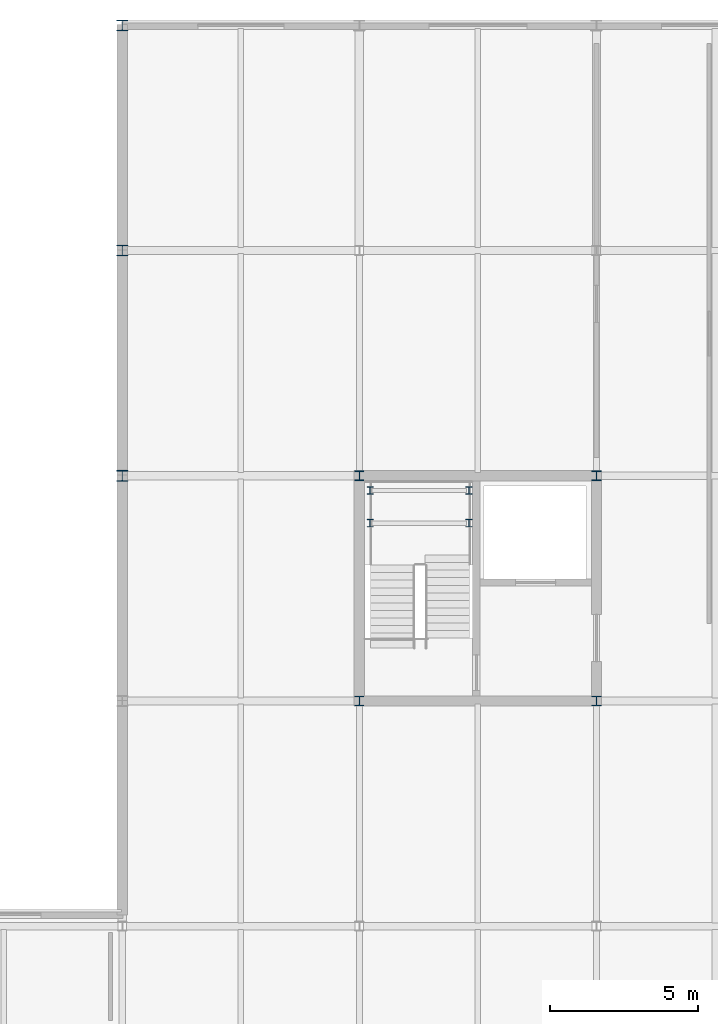
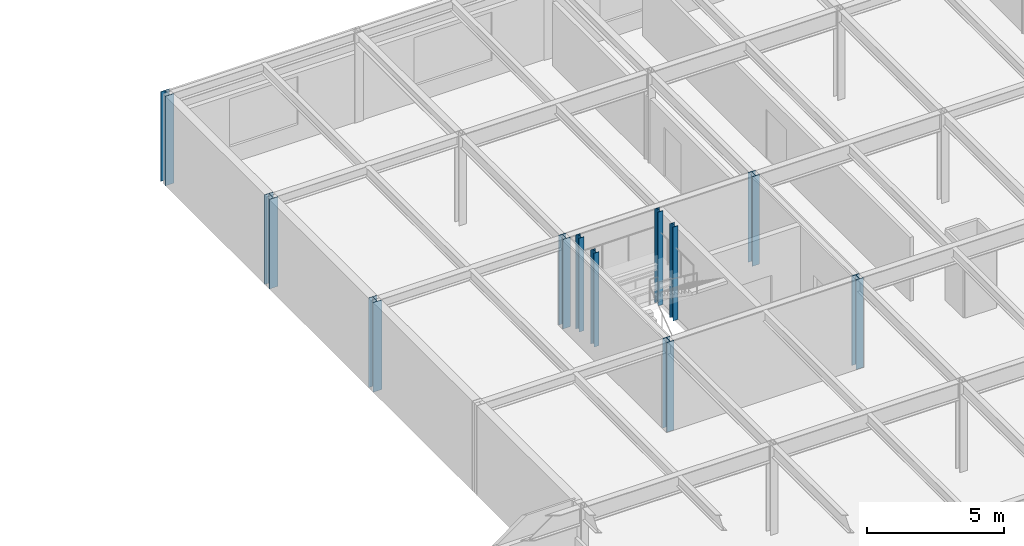
# One storey, part 7 of 45: 11 columns.
"""IFC4 building model written with IfcOpenShell, lengths in metres."""

from ifc_helpers import new_model, si_unit, direction, frame, origin, origin_2d, place, context, subcontext, project, spatial, i_section, extrude, material, material_profile, profile_set, type_object, element, save


model = new_model("IFC4")

# Units and contexts
model_context = context("Model", 3, precision=1e-05, world=origin(), true_north=direction((0.0, 1.0)))
body_context = subcontext(model_context, "Body", "Model", "MODEL_VIEW")
ifc_project = project(units=[si_unit("LENGTHUNIT", "METRE"), si_unit("AREAUNIT", "SQUARE_METRE"), si_unit("VOLUMEUNIT", "CUBIC_METRE"), si_unit("PLANEANGLEUNIT", "RADIAN"), si_unit("MASSUNIT", "GRAM", prefix="KILO")], contexts=[model_context])

# Site, building, storey
site_placement = place(None, origin())
site = spatial("IfcSite", under=ifc_project, at=site_placement, CompositionType="ELEMENT")
building_placement = place(site_placement, origin())
building = spatial("IfcBuilding", under=site, at=building_placement, Name="Zulena Civic Courthouse", CompositionType="ELEMENT")
storey_placement = place(building_placement, frame((0.0, 0.0, 29.39990234375)))
storey = spatial("IfcBuildingStorey", under=building, at=storey_placement, Name="L06", CompositionType="ELEMENT", Elevation=29.39990234375)

# Columns
ifc_material = material(Name="Steel ASTM A992 Grade 50", Category="steel")
ifc_material_profile_1 = material_profile(ifc_material, i_section(OverallWidth=0.2041015625, OverallDepth=0.257080078125, WebThickness=0.0087890625, FlangeThickness=0.015625, FilletRadius=0.0126953125, at=origin_2d()), Name="W10X45")
ifc_profile_set_1 = profile_set([ifc_material_profile_1], Name="Steel ASTM A992 Grade 50")
column_type_1 = type_object("IfcColumnType", Name="Col_W10X45", PredefinedType="COLUMN", material=ifc_profile_set_1)
for number, where, z_axis, x_axis, name in (
    (1, (76.360107421875, 74.39990234375, 0.0), (0.0, 0.0, 1.0), (1.0, 0.0, 0.0), "col:lnd:K5B:L06:0:0"),
    (2, (79.699951171875, 74.39990234375, 0.0), (0.0, 0.0, 1.0), (1.0, 0.0, 0.0), "col:lnd:K5B:L06:0:1"),
    (3, (76.360107421875, 75.5, 0.0), (0.0, 0.0, 1.0), (1.0, 0.0, 0.0), "col:lnd:K5B:L06:1:0"),
    (4, (79.699951171875, 75.5, 0.0), (0.0, 0.0, 1.0), (1.0, 0.0, 0.0), "col:lnd:K5B:L06:1:1"),
):
    element("IfcColumn", number, at=place(storey_placement, frame(where, z_axis=z_axis, x_axis=x_axis)), inside=storey, type_object=column_type_1, Name=name, PredefinedType="COLUMN", context=body_context, shape_type="SweptSolid", body=[
        extrude(i_section(OverallWidth=0.2041015625, OverallDepth=0.257080078125, WebThickness=0.0087890625, FlangeThickness=0.015625, FilletRadius=0.0126953125, at=origin_2d()), origin(), (0.0, 0.0, 1.0), 4.195068359375),
    ])
ifc_material_profile_2 = material_profile(ifc_material, i_section(OverallWidth=0.30908203125, OverallDepth=0.322998046875, WebThickness=0.013916015625, FlangeThickness=0.02294921875, FilletRadius=0.01513671875, at=origin_2d()), Name="W12X96")
ifc_profile_set_2 = profile_set([ifc_material_profile_2], Name="Steel ASTM A992 Grade 50")
column_type_2 = type_object("IfcColumnType", Name="Col_W12X96", PredefinedType="COLUMN", material=ifc_profile_set_2)
for number, where, z_axis, x_axis, name in (
    (5, (76.0, 68.39990234375, 0.0), (0.0, 0.0, 1.0), (1.0, 0.0, 0.0), "col:V5:L06:76.0:68.4"),
    (6, (76.0, 76.0, 0.0), (0.0, 0.0, 1.0), (1.0, 0.0, 0.0), "col:V5:L06:76.0:76.0"),
    (7, (84.0, 68.39990234375, 0.0), (0.0, 0.0, 1.0), (1.0, 0.0, 0.0), "col:V5:L06:84.0:68.4"),
    (8, (84.0, 76.0, 0.0), (0.0, 0.0, 1.0), (1.0, 0.0, 0.0), "col:V5:L06:84.0:76.0"),
):
    element("IfcColumn", number, at=place(storey_placement, frame(where, z_axis=z_axis, x_axis=x_axis)), inside=storey, type_object=column_type_2, Name=name, PredefinedType="COLUMN", context=body_context, shape_type="SweptSolid", body=[
        extrude(i_section(OverallWidth=0.30908203125, OverallDepth=0.322998046875, WebThickness=0.013916015625, FlangeThickness=0.02294921875, FilletRadius=0.01513671875, at=origin_2d()), origin(), (0.0, 0.0, 1.0), 4.0),
    ])
ifc_material_profile_3 = material_profile(ifc_material, i_section(OverallWidth=0.368896484375, OverallDepth=0.35595703125, WebThickness=0.01123046875, FlangeThickness=0.01806640625, FilletRadius=0.01513671875, at=origin_2d()), Name="W14X90")
ifc_profile_set_3 = profile_set([ifc_material_profile_3], Name="Steel ASTM A992 Grade 50")
column_type_3 = type_object("IfcColumnType", Name="Col_W14X90", PredefinedType="COLUMN", material=ifc_profile_set_3)
for number, where, z_axis, x_axis, name in (
    (9, (68.0, 76.0, 0.0), (0.0, 0.0, 1.0), (1.0, 0.0, 0.0), "col:V5:L06:68.0:76.0"),
    (10, (68.0, 83.60009765625, 0.0), (0.0, 0.0, 1.0), (1.0, 0.0, 0.0), "col:V5:L06:68.0:83.6"),
    (11, (68.0, 91.199951171875, 0.0), (0.0, 0.0, 1.0), (1.0, 0.0, 0.0), "col:V5:L06:68.0:91.2"),
):
    element("IfcColumn", number, at=place(storey_placement, frame(where, z_axis=z_axis, x_axis=x_axis)), inside=storey, type_object=column_type_3, Name=name, PredefinedType="COLUMN", context=body_context, shape_type="SweptSolid", body=[
        extrude(i_section(OverallWidth=0.368896484375, OverallDepth=0.35595703125, WebThickness=0.01123046875, FlangeThickness=0.01806640625, FilletRadius=0.01513671875, at=origin_2d()), origin(), (0.0, 0.0, 1.0), 4.0),
    ])

save(model, "model.ifc")
